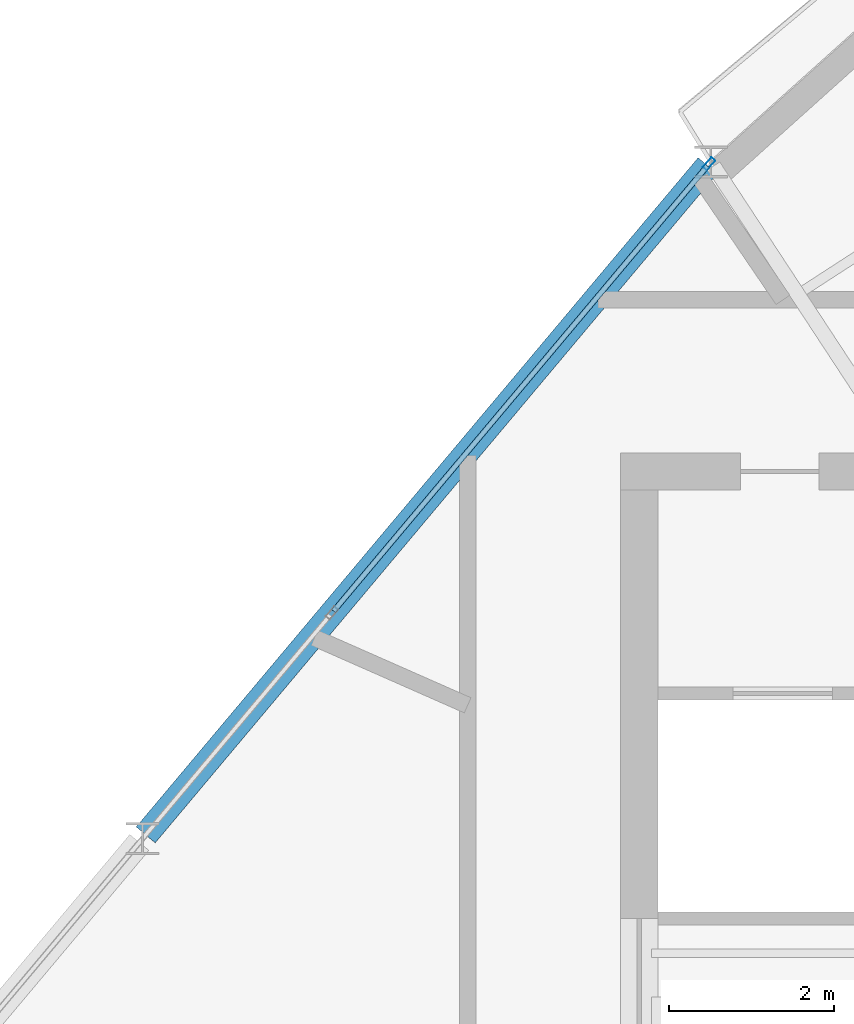
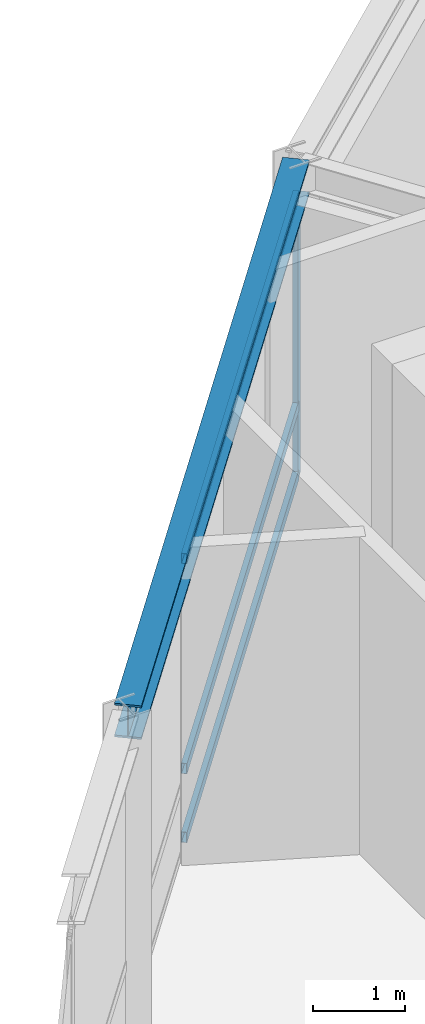
# One storey, part 7 of 23: 4 members, 1 beam, 1 element without a shape of its own.
"""IFC4 building model written with IfcOpenShell, lengths in metres."""

from ifc_helpers import new_model, si_unit, direction, frame, origin, origin_2d, place, context, subcontext, project, spatial, hollow_rectangle, i_section, extrude, source, transform, mapped, material, material_profile, profile_set, type_object, element, aggregate, save


model = new_model("IFC4")

# Units and contexts
model_context = context("Model", 3, precision=1e-05, world=origin(), true_north=direction((0.0, 1.0)))
body_context = subcontext(model_context, "Body", "Model", "MODEL_VIEW")
ifc_project = project(units=[si_unit("LENGTHUNIT", "METRE"), si_unit("AREAUNIT", "SQUARE_METRE"), si_unit("VOLUMEUNIT", "CUBIC_METRE"), si_unit("PLANEANGLEUNIT", "RADIAN"), si_unit("MASSUNIT", "GRAM", prefix="KILO")], contexts=[model_context])

# Site, building, storey
site_placement = place(None, origin())
site = spatial("IfcSite", under=ifc_project, at=site_placement, CompositionType="ELEMENT")
building_placement = place(site_placement, origin())
building = spatial("IfcBuilding", under=site, at=building_placement, Name="Olszyna Solenne Hotel", CompositionType="ELEMENT")
storey_placement = place(building_placement, frame((0.0, 0.0, 290.5)))
storey = spatial("IfcBuildingStorey", under=building, at=storey_placement, Name="L77", CompositionType="ELEMENT", Elevation=290.5)

# Beam
ifc_material_1 = material(Name="Steel S355J2", Category="steel")
ifc_material_profile_1 = material_profile(ifc_material_1, i_section(OverallWidth=0.300048828125, OverallDepth=0.449951171875, WebThickness=0.013916015625, FlangeThickness=0.02587890625, at=origin_2d()), Name="HEB 450", Category="load-bearing")
ifc_profile_set_1 = profile_set([ifc_material_profile_1], Name="Steel S355J2")
beam_type = type_object("IfcBeamType", Name="BM-S4", PredefinedType="BEAM", material=ifc_profile_set_1)
shared_shape_1 = source(origin(), body_context, "Body", "SweptSolid", [
    extrude(i_section(OverallWidth=0.300048828125, OverallDepth=0.449951171875, WebThickness=0.013916015625, FlangeThickness=0.02587890625, at=origin_2d()), origin(), (0.0, 0.0, 1.0), 10.564208984375),
])
beam_placement = place(storey_placement, frame((30.701416015625, 37.622314453125, 4.014892578125), z_axis=(-0.643057665881, -0.765817757924, 0.0), x_axis=(0.765817757924, -0.643057665881, 0.0)))
element("IfcBeam", 1, at=beam_placement, inside=storey, type_object=beam_type, Name="Perimeter spandrel beam BM-S4 B-L77-2254", PredefinedType="BEAM", context=body_context, shape_type="MappedRepresentation", body=[
    mapped(shared_shape_1, transform((0.0, 0.0, 0.0), x_axis=(1.0, 0.0, 0.0), y_axis=(0.0, 1.0, 0.0), z_axis=(0.0, 0.0, 1.0), scale=1.0)),
])

# Curtain wall, members
ifc_material_2 = material(Name="Anodised bronze aluminium", Category="aluminium")
curtain_wall_type = type_object("IfcCurtainWallType", Name="CW-SYS-7", PredefinedType="NOTDEFINED", material=ifc_material_2)
curtain_wall_placement = place(storey_placement, origin())
curtain_wall = element("IfcCurtainWall", 2, at=curtain_wall_placement, inside=storey, type_object=curtain_wall_type, Name="Unitised curtain wall CW-SYS-7 CW-L77-02", PredefinedType="NOTDEFINED")
ifc_material_profile_2 = material_profile(ifc_material_2, hollow_rectangle(XDim=0.06494140625, YDim=0.159912109375, WallThickness=0.00390625, at=origin_2d()), Name="MULL 160x65x4", Category="load-bearing")
ifc_profile_set_2 = profile_set([ifc_material_profile_2], Name="Anodised bronze aluminium")
member_type_1 = type_object("IfcMemberType", Name="CW-M3", PredefinedType="MULLION", material=ifc_profile_set_2)
shared_shape_2 = source(origin(), body_context, "Body", "SweptSolid", [
    extrude(hollow_rectangle(XDim=0.06494140625, YDim=0.159912109375, WallThickness=0.00390625, at=origin_2d()), origin(), (0.0, 0.0, 1.0), 3.781982421875),
])
member_1_placement = place(storey_placement, frame((30.718994140625, 37.643310546875, 0.0), z_axis=(0.0, 0.0, 1.0), x_axis=(-0.765808018245, 0.643069264692, 0.0)))
member_1 = element("IfcMember", 3, at=member_1_placement, type_object=member_type_1, Name="Curtain-wall mullion CW-M3 CM-L77-02-04", PredefinedType="MULLION", context=body_context, shape_type="MappedRepresentation", body=[
    mapped(shared_shape_2, transform((0.0, 0.0, 0.0), x_axis=(1.0, 0.0, 0.0), y_axis=(0.0, 1.0, 0.0), z_axis=(0.0, 0.0, 1.0), scale=1.0)),
])
ifc_material_profile_3 = material_profile(ifc_material_2, hollow_rectangle(XDim=0.06494140625, YDim=0.139892578125, WallThickness=0.00390625, at=origin_2d()), Name="TRAN 140x65x4", Category="load-bearing")
ifc_profile_set_3 = profile_set([ifc_material_profile_3], Name="Anodised bronze aluminium")
member_type_2 = type_object("IfcMemberType", Name="CW-T2", PredefinedType="USERDEFINED", material=ifc_profile_set_3)
shared_shape_3 = source(origin(), body_context, "Body", "SweptSolid", [
    extrude(hollow_rectangle(XDim=0.06494140625, YDim=0.139892578125, WallThickness=0.00390625, at=origin_2d()), origin(), (0.0, 0.0, 1.0), 7.025390625),
])
member_2_placement = place(storey_placement, frame((26.180419921875, 32.23828125, 0.032470703125), z_axis=(0.643068199963, 0.765808912325, 0.0), x_axis=(-0.765808912325, 0.643068199963, 0.0)))
member_2 = element("IfcMember", 4, at=member_2_placement, type_object=member_type_2, Name="Curtain-wall transom CW-T2 CT-L77-02-07", ObjectType="TRANSOM", PredefinedType="USERDEFINED", context=body_context, shape_type="MappedRepresentation", body=[
    mapped(shared_shape_3, transform((0.0, 0.0, 0.0), x_axis=(1.0, 0.0, 0.0), y_axis=(0.0, 1.0, 0.0), z_axis=(0.0, 0.0, 1.0), scale=1.0)),
])
member_3_placement = place(storey_placement, frame((26.180419921875, 32.23828125, 0.949951171875), z_axis=(0.643068199963, 0.765808912325, 0.0), x_axis=(-0.765808912325, 0.643068199963, 0.0)))
member_3 = element("IfcMember", 5, at=member_3_placement, type_object=member_type_2, Name="Curtain-wall transom CW-T2 CT-L77-02-08", ObjectType="TRANSOM", PredefinedType="USERDEFINED", context=body_context, shape_type="MappedRepresentation", body=[
    mapped(shared_shape_3, transform((0.0, 0.0, 0.0), x_axis=(1.0, 0.0, 0.0), y_axis=(0.0, 1.0, 0.0), z_axis=(0.0, 0.0, 1.0), scale=1.0)),
])
member_4_placement = place(storey_placement, frame((26.180419921875, 32.23828125, 3.74951171875), z_axis=(0.643068199963, 0.765808912325, 0.0), x_axis=(-0.765808912325, 0.643068199963, 0.0)))
member_4 = element("IfcMember", 6, at=member_4_placement, type_object=member_type_2, Name="Curtain-wall transom CW-T2 CT-L77-02-09", ObjectType="TRANSOM", PredefinedType="USERDEFINED", context=body_context, shape_type="MappedRepresentation", body=[
    mapped(shared_shape_3, transform((0.0, 0.0, 0.0), x_axis=(1.0, 0.0, 0.0), y_axis=(0.0, 1.0, 0.0), z_axis=(0.0, 0.0, 1.0), scale=1.0)),
])
aggregate(curtain_wall, [member_1, member_2, member_3, member_4])

save(model, "model.ifc")
